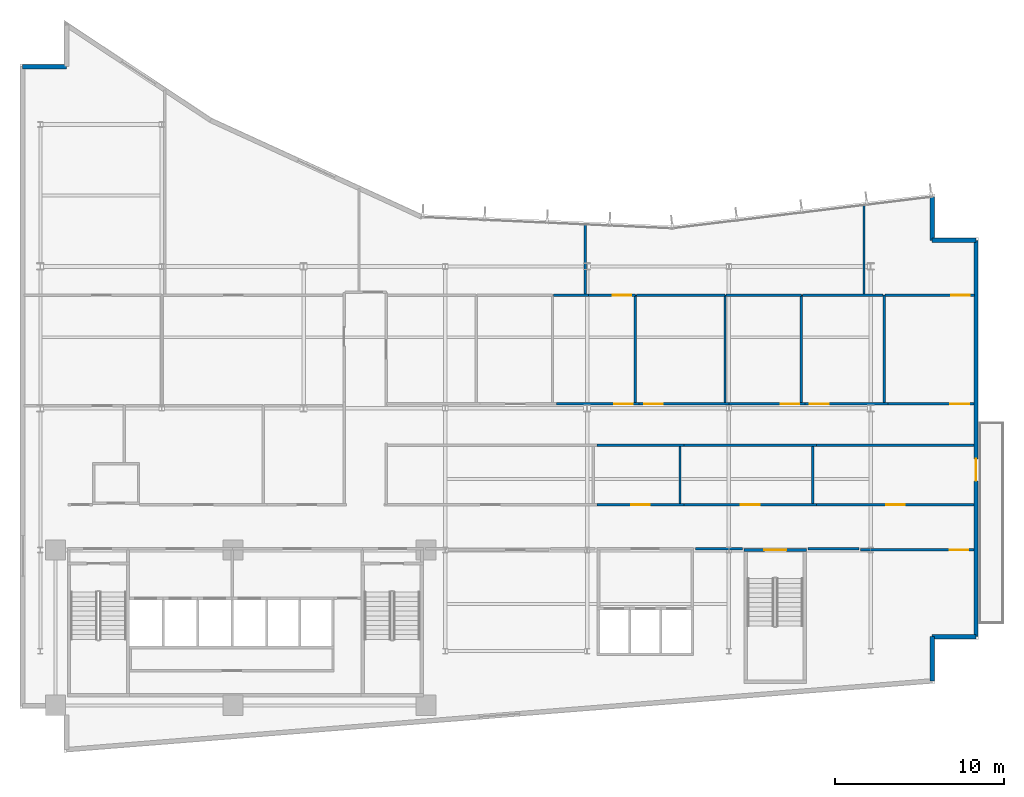
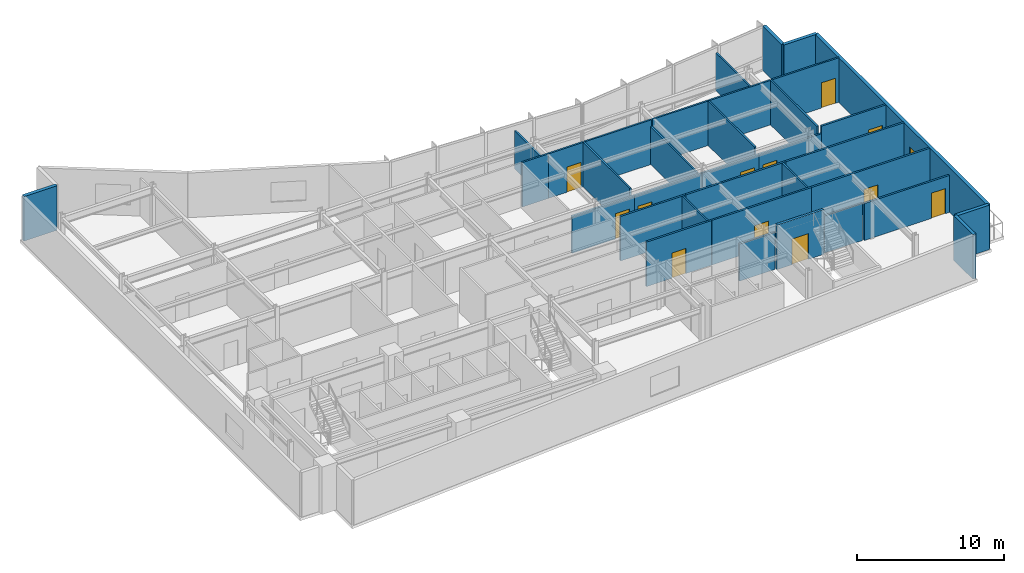
# One storey, part 11 of 17: 35 walls, 13 doors, 13 openings.
"""IFC4 building model written with IfcOpenShell, lengths in metres."""

from ifc_helpers import new_model, si_unit, direction, frame, frame_2d, origin, place, context, subcontext, project, spatial, rectangle, extrude, material, layer, layer_set, type_object, element, fill, save


model = new_model("IFC4")

# Units and contexts
model_context = context("Model", 3, precision=1e-05, world=origin(), true_north=direction((0.0, 1.0)))
body_context = subcontext(model_context, "Body", "Model", "MODEL_VIEW")
ifc_project = project(units=[si_unit("LENGTHUNIT", "METRE"), si_unit("AREAUNIT", "SQUARE_METRE"), si_unit("VOLUMEUNIT", "CUBIC_METRE"), si_unit("PLANEANGLEUNIT", "RADIAN"), si_unit("MASSUNIT", "GRAM", prefix="KILO")], contexts=[model_context])

# Site, building, storey
site_placement = place(None, origin())
site = spatial("IfcSite", under=ifc_project, at=site_placement, CompositionType="ELEMENT")
building_placement = place(site_placement, origin())
building = spatial("IfcBuilding", under=site, at=building_placement, Name="Varnakote Quay Hospital", CompositionType="ELEMENT")
storey_placement = place(building_placement, frame((0.0, 0.0, 131.0)))
storey = spatial("IfcBuildingStorey", under=building, at=storey_placement, Name="L32", CompositionType="ELEMENT", Elevation=131.0)

# Walls
ifc_material_1 = material(Name="Fire-rated acoustic gypsum stud wall", Category="gypsum")
ifc_layer_1 = layer(ifc_material_1, 0.159912109375)
ifc_layer_set_1 = layer_set([ifc_layer_1], Name="Fire-rated acoustic gypsum stud wall")
wall_type_1 = type_object("IfcWallType", Name="WL-COMP-160", PredefinedType="PARTITIONING", material=ifc_layer_set_1)
wall_1_placement = place(storey_placement, frame((40.030029296875, 12.080078125, 0.0), z_axis=(0.0, 0.0, 1.0), x_axis=(1.0, 0.0, 0.0)))
element("IfcWall", 1, at=wall_1_placement, inside=storey, type_object=wall_type_1, Name="L32 Corridor South Gap Wall", PredefinedType="PARTITIONING", context=body_context, shape_type="SweptSolid", body=[
    extrude(rectangle(XDim=2.78076171875, YDim=0.159912109375, at=frame_2d((1.390380859375, 0.0))), origin(), (0.0, 0.0, 1.0), 3.0830078125),
])
wall_2_placement = place(storey_placement, frame((46.689208984375, 12.080078125, 0.0), z_axis=(0.0, 0.0, 1.0), x_axis=(1.0, 0.0, 0.0)))
element("IfcWall", 2, at=wall_2_placement, inside=storey, type_object=wall_type_1, Name="L32 Corridor South Gap Wall", PredefinedType="PARTITIONING", context=body_context, shape_type="SweptSolid", body=[
    extrude(rectangle(XDim=3.0107421875, YDim=0.159912109375, at=frame_2d((1.50537109375, 0.0))), origin(), (0.0, 0.0, 1.0), 3.0830078125),
])
ifc_material_2 = material(Name="Precast concrete N50 (f'c 50 MPa)", Category="concrete")
ifc_layer_2 = layer(ifc_material_2, 0.260009765625)
ifc_layer_set_2 = layer_set([ifc_layer_2], Name="Precast concrete N50 (f'c 50 MPa)")
wall_type_2 = type_object("IfcWallType", Name="WL-EXT-BRICK-260", PredefinedType="STANDARD", material=ifc_layer_set_2)
wall_3_placement = place(storey_placement, frame((54.0400390625, 4.247802734375, 0.0), z_axis=(0.0, 0.0, 1.0), x_axis=(0.0, 1.0, 0.0)))
element("IfcWall", 3, at=wall_3_placement, inside=storey, type_object=wall_type_2, Name="L32 Brick-Faced Precast Exterior Wall", PredefinedType="STANDARD", context=body_context, shape_type="SweptSolid", body=[
    extrude(rectangle(XDim=2.6123046875, YDim=0.260009765625, at=frame_2d((1.30615234375, 0.0))), origin(), (0.0, 0.0, 1.0), 3.7099609375),
])
wall_4_placement = place(storey_placement, frame((54.0400390625, 6.860107421875, 0.0), z_axis=(0.0, 0.0, 1.0), x_axis=(1.0, 0.0, 0.0)))
element("IfcWall", 4, at=wall_4_placement, inside=storey, type_object=wall_type_2, Name="L32 Brick-Faced Precast Exterior Wall", PredefinedType="STANDARD", context=body_context, shape_type="SweptSolid", body=[
    extrude(rectangle(XDim=2.599853515625, YDim=0.260009765625, at=frame_2d((1.2998046875, 0.0))), origin(), (0.0, 0.0, 1.0), 3.7099609375),
])

# Wall, opening, door
wall_5_placement = place(storey_placement, frame((56.639892578125, 6.860107421875, 0.0), z_axis=(0.0, 0.0, 1.0), x_axis=(0.0, 1.0, 0.0)))
wall_5 = element("IfcWall", 5, at=wall_5_placement, inside=storey, type_object=wall_type_2, Name="L32 Healing Terrace Portal Brick Wall", PredefinedType="STANDARD", context=body_context, shape_type="SweptSolid", body=[
    extrude(rectangle(XDim=23.47998046875, YDim=0.260009765625, at=frame_2d((11.739990234375, 0.0))), origin(), (0.0, 0.0, 1.0), 3.7099609375),
])
opening_1_placement = place(wall_5_placement, frame((9.239990234375, 0.0, 0.0)))
opening_1 = element("IfcOpeningElement", 6, at=opening_1_placement, cuts=wall_5, Name="Opening DT-L32", PredefinedType="OPENING", context=body_context, shape_type="SweptSolid", body=[
    extrude(rectangle(XDim=1.300048828125, YDim=2.14990234375, at=frame_2d((0.64990234375, 1.074951171875))), frame((0.0, 0.139892578125, 0.0), z_axis=(0.0, -1.0, 0.0), x_axis=(1.0, 0.0, 0.0)), (0.0, 0.0, 1.0), 0.280029296875),
])
ifc_material_3 = material(Name="Anodised aluminium glazed terrace door", Category="aluminium")
door_type_1 = type_object("IfcDoorType", Name="DR-EXT-TERR-1300x2150", OperationType="NOTDEFINED", PredefinedType="DOOR", material=ifc_material_3)
door_1_placement = place(opening_1_placement, origin())
door_1 = element("IfcDoor", 7, at=door_1_placement, inside=storey, type_object=door_type_1, Name="L32 Waterfront Healing Terrace Door", OperationType="SINGLE_SWING_LEFT", OverallHeight=2.14990234375, OverallWidth=1.300048828125, PredefinedType="DOOR", context=body_context, shape_type="SweptSolid", body=[
    extrude(rectangle(XDim=1.300048828125, YDim=2.14990234375, at=frame_2d((0.64990234375, 1.074951171875))), frame((0.0, 0.02490234375, 0.0), z_axis=(0.0, -1.0, 0.0), x_axis=(1.0, 0.0, 0.0)), (0.0, 0.0, 1.0), 0.050048828125),
])
fill(opening_1, door_1)

# Walls
wall_6_placement = place(storey_placement, frame((56.639892578125, 30.340087890625, 0.0), z_axis=(0.0, 0.0, 1.0), x_axis=(-1.0, 0.0, 0.0)))
element("IfcWall", 8, at=wall_6_placement, inside=storey, type_object=wall_type_2, Name="L32 Brick-Faced Precast Exterior Wall", PredefinedType="STANDARD", context=body_context, shape_type="SweptSolid", body=[
    extrude(rectangle(XDim=2.599853515625, YDim=0.260009765625, at=frame_2d((1.2998046875, 0.0))), origin(), (0.0, 0.0, 1.0), 3.7099609375),
])
wall_7_placement = place(storey_placement, frame((54.0400390625, 30.340087890625, 0.0), z_axis=(0.0, 0.0, 1.0), x_axis=(0.0, 1.0, 0.0)))
element("IfcWall", 9, at=wall_7_placement, inside=storey, type_object=wall_type_2, Name="L32 Brick-Faced Precast Exterior Wall", PredefinedType="STANDARD", context=body_context, shape_type="SweptSolid", body=[
    extrude(rectangle(XDim=2.579345703125, YDim=0.260009765625, at=frame_2d((1.28955078125, 0.0))), origin(), (0.0, 0.0, 1.0), 3.7099609375),
])
wall_8_placement = place(storey_placement, frame((2.760009765625, 40.639892578125, 0.0), z_axis=(0.0, 0.0, 1.0), x_axis=(-1.0, 0.0, 0.0)))
element("IfcWall", 10, at=wall_8_placement, inside=storey, type_object=wall_type_2, Name="L32 Brick-Faced Precast Exterior Wall", PredefinedType="STANDARD", context=body_context, shape_type="SweptSolid", body=[
    extrude(rectangle(XDim=2.60009765625, YDim=0.260009765625, at=frame_2d((1.300048828125, 0.0))), origin(), (0.0, 0.0, 1.0), 3.7099609375),
])

# Wall, opening, door
ifc_material_4 = material(Name="Concrete N50 (f'c 50 MPa)", Category="concrete")
ifc_layer_3 = layer(ifc_material_4, 0.199951171875)
ifc_layer_set_3 = layer_set([ifc_layer_3], Name="Concrete N50 (f'c 50 MPa)")
wall_type_3 = type_object("IfcWallType", Name="WL-SHAFT-N50-200", PredefinedType="SHEAR", material=ifc_layer_set_3)
wall_9_placement = place(storey_placement, frame((42.89990234375, 12.0, 0.0), z_axis=(0.0, 0.0, 1.0), x_axis=(1.0, 0.0, 0.0)))
wall_9 = element("IfcWall", 11, at=wall_9_placement, inside=storey, type_object=wall_type_3, Name="L32 Stair ST3 Exit Wall", PredefinedType="SHEAR", context=body_context, shape_type="SweptSolid", body=[
    extrude(rectangle(XDim=3.7001953125, YDim=0.199951171875, at=frame_2d((1.85009765625, 0.0))), origin(), (0.0, 0.0, 1.0), 3.7099609375),
])
opening_2_placement = place(wall_9_placement, frame((1.199951171875, 0.0, 0.0)))
opening_2 = element("IfcOpeningElement", 12, at=opening_2_placement, cuts=wall_9, Name="Opening D-ST3-L32", PredefinedType="OPENING", context=body_context, shape_type="SweptSolid", body=[
    extrude(rectangle(XDim=1.300048828125, YDim=2.14990234375, at=frame_2d((0.64990234375, 1.074951171875))), frame((0.0, 0.10986328125, 0.0), z_axis=(0.0, -1.0, 0.0), x_axis=(1.0, 0.0, 0.0)), (0.0, 0.0, 1.0), 0.219970703125),
])
ifc_material_5 = material(Name="Fire-rated ceramic-glazed timber exit door", Category="wood")
door_type_2 = type_object("IfcDoorType", Name="DR-STAIR-FD60S-1300x2150", OperationType="NOTDEFINED", PredefinedType="DOOR", material=ifc_material_5)
door_2_placement = place(opening_2_placement, origin())
door_2 = element("IfcDoor", 13, at=door_2_placement, inside=storey, type_object=door_type_2, Name="L32 Stair ST3 Fire Exit Door", OperationType="SINGLE_SWING_LEFT", OverallHeight=2.14990234375, OverallWidth=1.300048828125, PredefinedType="DOOR", context=body_context, shape_type="SweptSolid", body=[
    extrude(rectangle(XDim=1.300048828125, YDim=2.14990234375, at=frame_2d((0.64990234375, 1.074951171875))), frame((0.0, 0.02490234375, 0.0), z_axis=(0.0, -1.0, 0.0), x_axis=(1.0, 0.0, 0.0)), (0.0, 0.0, 1.0), 0.050048828125),
])
fill(opening_2, door_2)

# Walls
ifc_material_6 = material(Name="Smoke-proof clinical partition", Category="gypsum")
ifc_layer_4 = layer(ifc_material_6, 0.135009765625)
ifc_layer_set_4 = layer_set([ifc_layer_4], Name="Smoke-proof clinical partition")
wall_type_4 = type_object("IfcWallType", Name="WL-SMOKE-135", PredefinedType="PARTITIONING", material=ifc_layer_set_4)
for number, where, z_axis, x_axis, name in (
    (14, (39.110107421875, 14.760009765625, 0.0), (0.0, 0.0, 1.0), (0.0, 1.0, 0.0), "L32 Clinical Interior Partition"),
    (15, (46.969970703125, 14.760009765625, 0.0), (0.0, 0.0, 1.0), (0.0, 1.0, 0.0), "L32 Clinical Interior Partition"),
):
    element("IfcWall", number, at=place(storey_placement, frame(where, z_axis=z_axis, x_axis=x_axis)), inside=storey, type_object=wall_type_4, Name=name, PredefinedType="PARTITIONING", context=body_context, shape_type="SweptSolid", body=[
        extrude(rectangle(XDim=3.360107421875, YDim=0.135009765625, at=frame_2d((1.68017578125, 0.0))), origin(), (0.0, 0.0, 1.0), 3.7099609375),
    ])
wall_10_placement = place(storey_placement, frame((36.4599609375, 20.715087890625, 0.0), z_axis=(0.0, 0.0, 1.0), x_axis=(0.0, 1.0, 0.0)))
element("IfcWall", 16, at=wall_10_placement, inside=storey, type_object=wall_type_4, Name="L32 Clinical Interior Partition", PredefinedType="PARTITIONING", context=body_context, shape_type="SweptSolid", body=[
    extrude(rectangle(XDim=6.385009765625, YDim=0.135009765625, at=frame_2d((3.1923828125, 0.0))), origin(), (0.0, 0.0, 1.0), 3.7099609375),
])
wall_11_placement = place(storey_placement, frame((33.66845703125, 27.10009765625, 0.0), z_axis=(0.0, 0.0, 1.0), x_axis=(-1.0, 0.0, 0.0)))
element("IfcWall", 17, at=wall_11_placement, inside=storey, type_object=wall_type_4, Name="L32 Clinical Interior Partition", PredefinedType="PARTITIONING", context=body_context, shape_type="SweptSolid", body=[
    extrude(rectangle(XDim=2.06103515625, YDim=0.135009765625, at=frame_2d((1.030517578125, 0.0))), origin(), (0.0, 0.0, 1.0), 3.7099609375),
])

# Wall, opening, door
wall_12_placement = place(storey_placement, frame((36.4599609375, 27.10009765625, 0.0), z_axis=(0.0, 0.0, 1.0), x_axis=(-1.0, 0.0, 0.0)))
wall_12 = element("IfcWall", 18, at=wall_12_placement, inside=storey, type_object=wall_type_4, Name="L32 Clinical Interior Partition", PredefinedType="PARTITIONING", context=body_context, shape_type="SweptSolid", body=[
    extrude(rectangle(XDim=2.78955078125, YDim=0.135009765625, at=frame_2d((1.394775390625, 0.0))), origin(), (0.0, 0.0, 1.0), 3.7099609375),
])
opening_3_placement = place(wall_12_placement, frame((0.232177734375, 0.0, 0.0)))
opening_3 = element("IfcOpeningElement", 19, at=opening_3_placement, cuts=wall_12, Name="Opening D-L32-MD19", PredefinedType="OPENING", context=body_context, shape_type="SweptSolid", body=[
    extrude(rectangle(XDim=1.10009765625, YDim=2.10009765625, at=frame_2d((0.550048828125, 1.050048828125))), frame((0.0, 0.077392578125, 0.0), z_axis=(0.0, -1.0, 0.0), x_axis=(1.0, 0.0, 0.0)), (0.0, 0.0, 1.0), 0.155029296875),
])
ifc_material_7 = material(Name="Acoustic timber clinical consult door", Category="wood")
door_type_3 = type_object("IfcDoorType", Name="DR-CLIN-FD30S-1100x2100", OperationType="NOTDEFINED", PredefinedType="DOOR", material=ifc_material_7)
door_3_placement = place(opening_3_placement, origin())
door_3 = element("IfcDoor", 20, at=door_3_placement, inside=storey, type_object=door_type_3, Name="L32 Ward Nutrition Pantry Door", OperationType="SINGLE_SWING_RIGHT", OverallHeight=2.10009765625, OverallWidth=1.10009765625, PredefinedType="DOOR", context=body_context, shape_type="SweptSolid", body=[
    extrude(rectangle(XDim=1.10009765625, YDim=2.10009765625, at=frame_2d((0.550048828125, 1.050048828125))), frame((0.0, 0.02490234375, 0.0), z_axis=(0.0, -1.0, 0.0), x_axis=(1.0, 0.0, 0.0)), (0.0, 0.0, 1.0), 0.050048828125),
])
fill(opening_3, door_3)

# Walls
wall_13_placement = place(storey_placement, frame((41.77001953125, 20.715087890625, 0.0), z_axis=(0.0, 0.0, 1.0), x_axis=(0.0, 1.0, 0.0)))
element("IfcWall", 21, at=wall_13_placement, inside=storey, type_object=wall_type_4, Name="L32 Clinical Interior Partition", PredefinedType="PARTITIONING", context=body_context, shape_type="SweptSolid", body=[
    extrude(rectangle(XDim=6.385009765625, YDim=0.135009765625, at=frame_2d((3.1923828125, 0.0))), origin(), (0.0, 0.0, 1.0), 3.152099609375),
])
wall_14_placement = place(storey_placement, frame((41.77001953125, 27.10009765625, 0.0), z_axis=(0.0, 0.0, 1.0), x_axis=(-1.0, 0.0, 0.0)))
element("IfcWall", 22, at=wall_14_placement, inside=storey, type_object=wall_type_4, Name="L32 Clinical Interior Partition", PredefinedType="PARTITIONING", context=body_context, shape_type="SweptSolid", body=[
    extrude(rectangle(XDim=5.25244140625, YDim=0.135009765625, at=frame_2d((2.626220703125, 0.0))), origin(), (0.0, 0.0, 1.0), 3.7099609375),
])
wall_15_placement = place(storey_placement, frame((46.2900390625, 20.715087890625, 0.0), z_axis=(0.0, 0.0, 1.0), x_axis=(0.0, 1.0, 0.0)))
element("IfcWall", 23, at=wall_15_placement, inside=storey, type_object=wall_type_4, Name="L32 Clinical Interior Partition", PredefinedType="PARTITIONING", context=body_context, shape_type="SweptSolid", body=[
    extrude(rectangle(XDim=6.385009765625, YDim=0.135009765625, at=frame_2d((3.1923828125, 0.0))), origin(), (0.0, 0.0, 1.0), 3.7099609375),
])
wall_16_placement = place(storey_placement, frame((46.2900390625, 27.10009765625, 0.0), z_axis=(0.0, 0.0, 1.0), x_axis=(-1.0, 0.0, 0.0)))
element("IfcWall", 24, at=wall_16_placement, inside=storey, type_object=wall_type_4, Name="L32 Clinical Interior Partition", PredefinedType="PARTITIONING", context=body_context, shape_type="SweptSolid", body=[
    extrude(rectangle(XDim=4.462646484375, YDim=0.135009765625, at=frame_2d((2.2314453125, 0.0))), origin(), (0.0, 0.0, 1.0), 3.7099609375),
])
wall_17_placement = place(storey_placement, frame((51.199951171875, 20.715087890625, 0.0), z_axis=(0.0, 0.0, 1.0), x_axis=(0.0, 1.0, 0.0)))
element("IfcWall", 25, at=wall_17_placement, inside=storey, type_object=wall_type_4, Name="L32 Clinical Interior Partition", PredefinedType="PARTITIONING", context=body_context, shape_type="SweptSolid", body=[
    extrude(rectangle(XDim=6.385009765625, YDim=0.135009765625, at=frame_2d((3.1923828125, 0.0))), origin(), (0.0, 0.0, 1.0), 3.7099609375),
])
wall_18_placement = place(storey_placement, frame((51.142578125, 27.10009765625, 0.0), z_axis=(0.0, 0.0, 1.0), x_axis=(-1.0, 0.0, 0.0)))
element("IfcWall", 26, at=wall_18_placement, inside=storey, type_object=wall_type_4, Name="L32 Clinical Interior Partition", PredefinedType="PARTITIONING", context=body_context, shape_type="SweptSolid", body=[
    extrude(rectangle(XDim=4.795166015625, YDim=0.135009765625, at=frame_2d((2.3974609375, 0.0))), origin(), (0.0, 0.0, 1.0), 3.7099609375),
])

# Wall, opening, door
wall_19_placement = place(storey_placement, frame((56.56005859375, 27.10009765625, 0.0), z_axis=(0.0, 0.0, 1.0), x_axis=(-1.0, 0.0, 0.0)))
wall_19 = element("IfcWall", 27, at=wall_19_placement, inside=storey, type_object=wall_type_4, Name="L32 Clinical Interior Partition", PredefinedType="PARTITIONING", context=body_context, shape_type="SweptSolid", body=[
    extrude(rectangle(XDim=5.302490234375, YDim=0.135009765625, at=frame_2d((2.6513671875, 0.0))), origin(), (0.0, 0.0, 1.0), 3.7099609375),
])
opening_4_placement = place(wall_19_placement, frame((0.295166015625, 0.0, 0.0)))
opening_4 = element("IfcOpeningElement", 28, at=opening_4_placement, cuts=wall_19, Name="Opening D-L32-MD20", PredefinedType="OPENING", context=body_context, shape_type="SweptSolid", body=[
    extrude(rectangle(XDim=1.10009765625, YDim=2.10009765625, at=frame_2d((0.550048828125, 1.050048828125))), frame((0.0, 0.077392578125, 0.0), z_axis=(0.0, -1.0, 0.0), x_axis=(1.0, 0.0, 0.0)), (0.0, 0.0, 1.0), 0.155029296875),
])
door_4_placement = place(opening_4_placement, origin())
door_4 = element("IfcDoor", 29, at=door_4_placement, inside=storey, type_object=door_type_3, Name="L32 Clinical Coordinator Office Door", OperationType="SINGLE_SWING_LEFT", OverallHeight=2.10009765625, OverallWidth=1.10009765625, PredefinedType="DOOR", context=body_context, shape_type="SweptSolid", body=[
    extrude(rectangle(XDim=1.10009765625, YDim=2.10009765625, at=frame_2d((0.550048828125, 1.050048828125))), frame((0.0, 0.02490234375, 0.0), z_axis=(0.0, -1.0, 0.0), x_axis=(1.0, 0.0, 0.0)), (0.0, 0.0, 1.0), 0.050048828125),
])
fill(opening_4, door_4)

# Walls
wall_20_placement = place(storey_placement, frame((33.489990234375, 27.157470703125, 0.0), z_axis=(0.0, 0.0, 1.0), x_axis=(0.0, 1.0, 0.0)))
element("IfcWall", 30, at=wall_20_placement, inside=storey, type_object=wall_type_4, Name="L32 Clinical Interior Partition", PredefinedType="PARTITIONING", context=body_context, shape_type="SweptSolid", body=[
    extrude(rectangle(XDim=4.12451171875, YDim=0.135009765625, at=frame_2d((2.062255859375, 0.0))), origin(), (0.0, 0.0, 1.0), 3.152099609375),
])
wall_21_placement = place(storey_placement, frame((50.010009765625, 27.157470703125, 0.0), z_axis=(0.0, 0.0, 1.0), x_axis=(0.0, 1.0, 0.0)))
element("IfcWall", 31, at=wall_21_placement, inside=storey, type_object=wall_type_4, Name="L32 Clinical Interior Partition", PredefinedType="PARTITIONING", context=body_context, shape_type="SweptSolid", body=[
    extrude(rectangle(XDim=5.2734375, YDim=0.135009765625, at=frame_2d((2.63671875, 0.0))), origin(), (0.0, 0.0, 1.0), 3.152099609375),
])

# Wall, opening, door
ifc_material_8 = material(Name="Fire-rated clinical gypsum partition", Category="gypsum")
ifc_layer_5 = layer(ifc_material_8, 0.14990234375)
ifc_layer_set_5 = layer_set([ifc_layer_5], Name="Fire-rated clinical gypsum partition")
wall_type_5 = type_object("IfcWallType", Name="WL-WARD-150", PredefinedType="PARTITIONING", material=ifc_layer_set_5)
wall_22_placement = place(storey_placement, frame((56.52001953125, 12.0, 0.0), z_axis=(0.0, 0.0, 1.0), x_axis=(-1.0, 0.0, 0.0)))
wall_22 = element("IfcWall", 32, at=wall_22_placement, inside=storey, type_object=wall_type_5, Name="L32 Clinical Interior Partition", PredefinedType="PARTITIONING", context=body_context, shape_type="SweptSolid", body=[
    extrude(rectangle(XDim=6.719970703125, YDim=0.14990234375, at=frame_2d((3.35986328125, 0.0))), origin(), (0.0, 0.0, 1.0), 3.0830078125),
])
opening_5_placement = place(wall_22_placement, frame((0.33056640625, 0.0, 0.0)))
opening_5 = element("IfcOpeningElement", 33, at=opening_5_placement, cuts=wall_22, Name="Opening D-L32-SE1", PredefinedType="OPENING", context=body_context, shape_type="SweptSolid", body=[
    extrude(rectangle(XDim=1.10009765625, YDim=2.10009765625, at=frame_2d((0.550048828125, 1.050048828125))), frame((0.0, 0.0849609375, 0.0), z_axis=(0.0, -1.0, 0.0), x_axis=(1.0, 0.0, 0.0)), (0.0, 0.0, 1.0), 0.169921875),
])
door_5_placement = place(opening_5_placement, origin())
door_5 = element("IfcDoor", 34, at=door_5_placement, inside=storey, type_object=door_type_3, Name="L32 Clinical Biomedical Engineering Office Door", OperationType="SINGLE_SWING_RIGHT", OverallHeight=2.10009765625, OverallWidth=1.10009765625, PredefinedType="DOOR", context=body_context, shape_type="SweptSolid", body=[
    extrude(rectangle(XDim=1.10009765625, YDim=2.10009765625, at=frame_2d((0.550048828125, 1.050048828125))), frame((0.0, 0.02490234375, 0.0), z_axis=(0.0, -1.0, 0.0), x_axis=(1.0, 0.0, 0.0)), (0.0, 0.0, 1.0), 0.050048828125),
])
fill(opening_5, door_5)

wall_23_placement = place(storey_placement, frame((39.3359375, 14.679931640625, 0.0), z_axis=(0.0, 0.0, 1.0), x_axis=(-1.0, 0.0, 0.0)))
wall_23 = element("IfcWall", 35, at=wall_23_placement, inside=storey, type_object=wall_type_5, Name="L32 Clinical Interior Partition", PredefinedType="PARTITIONING", context=body_context, shape_type="SweptSolid", body=[
    extrude(rectangle(XDim=5.137939453125, YDim=0.14990234375, at=frame_2d((2.56884765625, 0.0))), origin(), (0.0, 0.0, 1.0), 3.7099609375),
])
opening_6_placement = place(wall_23_placement, frame((2.01904296875, 0.0, 0.0)))
opening_6 = element("IfcOpeningElement", 36, at=opening_6_placement, cuts=wall_23, Name="Opening D-L32-MD05", PredefinedType="OPENING", context=body_context, shape_type="SweptSolid", body=[
    extrude(rectangle(XDim=1.10009765625, YDim=2.10009765625, at=frame_2d((0.550048828125, 1.050048828125))), frame((0.0, 0.0849609375, 0.0), z_axis=(0.0, -1.0, 0.0), x_axis=(1.0, 0.0, 0.0)), (0.0, 0.0, 1.0), 0.169921875),
])
door_6_placement = place(opening_6_placement, origin())
door_6 = element("IfcDoor", 37, at=door_6_placement, inside=storey, type_object=door_type_3, Name="L32 Day Procedure Treatment Suite Door", OperationType="SINGLE_SWING_LEFT", OverallHeight=2.10009765625, OverallWidth=1.10009765625, PredefinedType="DOOR", context=body_context, shape_type="SweptSolid", body=[
    extrude(rectangle(XDim=1.10009765625, YDim=2.10009765625, at=frame_2d((0.550048828125, 1.050048828125))), frame((0.0, 0.02490234375, 0.0), z_axis=(0.0, -1.0, 0.0), x_axis=(1.0, 0.0, 0.0)), (0.0, 0.0, 1.0), 0.050048828125),
])
fill(opening_6, door_6)

wall_24_placement = place(storey_placement, frame((47.196044921875, 14.679931640625, 0.0), z_axis=(0.0, 0.0, 1.0), x_axis=(-1.0, 0.0, 0.0)))
wall_24 = element("IfcWall", 38, at=wall_24_placement, inside=storey, type_object=wall_type_5, Name="L32 Clinical Interior Partition", PredefinedType="PARTITIONING", context=body_context, shape_type="SweptSolid", body=[
    extrude(rectangle(XDim=7.858154296875, YDim=0.14990234375, at=frame_2d((3.92919921875, 0.0))), origin(), (0.0, 0.0, 1.0), 3.7099609375),
])
opening_7_placement = place(wall_24_placement, frame((3.37890625, 0.0, 0.0)))
opening_7 = element("IfcOpeningElement", 39, at=opening_7_placement, cuts=wall_24, Name="Opening D-L32-MD06", PredefinedType="OPENING", context=body_context, shape_type="SweptSolid", body=[
    extrude(rectangle(XDim=1.10009765625, YDim=2.10009765625, at=frame_2d((0.550048828125, 1.050048828125))), frame((0.0, 0.0849609375, 0.0), z_axis=(0.0, -1.0, 0.0), x_axis=(1.0, 0.0, 0.0)), (0.0, 0.0, 1.0), 0.169921875),
])
door_7_placement = place(opening_7_placement, origin())
door_7 = element("IfcDoor", 40, at=door_7_placement, inside=storey, type_object=door_type_3, Name="L32 Endoscopy Infusion Treatment Suite Door", OperationType="SINGLE_SWING_RIGHT", OverallHeight=2.10009765625, OverallWidth=1.10009765625, PredefinedType="DOOR", context=body_context, shape_type="SweptSolid", body=[
    extrude(rectangle(XDim=1.10009765625, YDim=2.10009765625, at=frame_2d((0.550048828125, 1.050048828125))), frame((0.0, 0.02490234375, 0.0), z_axis=(0.0, -1.0, 0.0), x_axis=(1.0, 0.0, 0.0)), (0.0, 0.0, 1.0), 0.050048828125),
])
fill(opening_7, door_7)

wall_25_placement = place(storey_placement, frame((56.52001953125, 14.679931640625, 0.0), z_axis=(0.0, 0.0, 1.0), x_axis=(-1.0, 0.0, 0.0)))
wall_25 = element("IfcWall", 41, at=wall_25_placement, inside=storey, type_object=wall_type_5, Name="L32 Clinical Interior Partition", PredefinedType="PARTITIONING", context=body_context, shape_type="SweptSolid", body=[
    extrude(rectangle(XDim=9.322021484375, YDim=0.14990234375, at=frame_2d((4.6611328125, 0.0))), origin(), (0.0, 0.0, 1.0), 3.7099609375),
])
opening_8_placement = place(wall_25_placement, frame((4.111083984375, 0.0, 0.0)))
opening_8 = element("IfcOpeningElement", 42, at=opening_8_placement, cuts=wall_25, Name="Opening D-L32-DLNG", PredefinedType="OPENING", context=body_context, shape_type="SweptSolid", body=[
    extrude(rectangle(XDim=1.10009765625, YDim=2.10009765625, at=frame_2d((0.550048828125, 1.050048828125))), frame((0.0, 0.0849609375, 0.0), z_axis=(0.0, -1.0, 0.0), x_axis=(1.0, 0.0, 0.0)), (0.0, 0.0, 1.0), 0.169921875),
])
door_8_placement = place(opening_8_placement, origin())
door_8 = element("IfcDoor", 43, at=door_8_placement, inside=storey, type_object=door_type_3, Name="L32 Waterfront Patient & Family Dayroom Door", OperationType="SINGLE_SWING_LEFT", OverallHeight=2.10009765625, OverallWidth=1.10009765625, PredefinedType="DOOR", context=body_context, shape_type="SweptSolid", body=[
    extrude(rectangle(XDim=1.10009765625, YDim=2.10009765625, at=frame_2d((0.550048828125, 1.050048828125))), frame((0.0, 0.02490234375, 0.0), z_axis=(0.0, -1.0, 0.0), x_axis=(1.0, 0.0, 0.0)), (0.0, 0.0, 1.0), 0.050048828125),
])
fill(opening_8, door_8)

# Walls
wall_26_placement = place(storey_placement, frame((34.197998046875, 18.199951171875, 0.0), z_axis=(0.0, 0.0, 1.0), x_axis=(1.0, 0.0, 0.0)))
element("IfcWall", 44, at=wall_26_placement, inside=storey, type_object=wall_type_5, Name="L32 Clinical Interior Partition", PredefinedType="PARTITIONING", context=body_context, shape_type="SweptSolid", body=[
    extrude(rectangle(XDim=5.137939453125, YDim=0.14990234375, at=frame_2d((2.56884765625, 0.0))), origin(), (0.0, 0.0, 1.0), 3.7099609375),
])
wall_27_placement = place(storey_placement, frame((39.337890625, 18.199951171875, 0.0), z_axis=(0.0, 0.0, 1.0), x_axis=(1.0, 0.0, 0.0)))
element("IfcWall", 45, at=wall_27_placement, inside=storey, type_object=wall_type_5, Name="L32 Clinical Interior Partition", PredefinedType="PARTITIONING", context=body_context, shape_type="SweptSolid", body=[
    extrude(rectangle(XDim=7.858154296875, YDim=0.14990234375, at=frame_2d((3.92919921875, 0.0))), origin(), (0.0, 0.0, 1.0), 3.7099609375),
])
wall_28_placement = place(storey_placement, frame((47.197998046875, 18.199951171875, 0.0), z_axis=(0.0, 0.0, 1.0), x_axis=(1.0, 0.0, 0.0)))
element("IfcWall", 46, at=wall_28_placement, inside=storey, type_object=wall_type_5, Name="L32 Clinical Interior Partition", PredefinedType="PARTITIONING", context=body_context, shape_type="SweptSolid", body=[
    extrude(rectangle(XDim=9.322021484375, YDim=0.14990234375, at=frame_2d((4.6611328125, 0.0))), origin(), (0.0, 0.0, 1.0), 3.7099609375),
])

# Wall, opening, door
wall_29_placement = place(storey_placement, frame((36.68603515625, 20.64990234375, 0.0), z_axis=(0.0, 0.0, 1.0), x_axis=(-1.0, 0.0, 0.0)))
wall_29 = element("IfcWall", 47, at=wall_29_placement, inside=storey, type_object=wall_type_5, Name="L32 Clinical Interior Partition", PredefinedType="PARTITIONING", context=body_context, shape_type="SweptSolid", body=[
    extrude(rectangle(XDim=4.907958984375, YDim=0.14990234375, at=frame_2d((2.4541015625, 0.0))), origin(), (0.0, 0.0, 1.0), 3.0830078125),
])
opening_9_placement = place(wall_29_placement, frame((0.370361328125, 0.0, 0.0)))
opening_9 = element("IfcOpeningElement", 48, at=opening_9_placement, cuts=wall_29, Name="Opening D-L32-MD11", PredefinedType="OPENING", context=body_context, shape_type="SweptSolid", body=[
    extrude(rectangle(XDim=1.10009765625, YDim=2.10009765625, at=frame_2d((0.550048828125, 1.050048828125))), frame((0.0, 0.0849609375, 0.0), z_axis=(0.0, -1.0, 0.0), x_axis=(1.0, 0.0, 0.0)), (0.0, 0.0, 1.0), 0.169921875),
])
door_9_placement = place(opening_9_placement, origin())
door_9 = element("IfcDoor", 49, at=door_9_placement, inside=storey, type_object=door_type_3, Name="L32 Ward Nutrition Pantry Door", OperationType="SINGLE_SWING_RIGHT", OverallHeight=2.10009765625, OverallWidth=1.10009765625, PredefinedType="DOOR", context=body_context, shape_type="SweptSolid", body=[
    extrude(rectangle(XDim=1.10009765625, YDim=2.10009765625, at=frame_2d((0.550048828125, 1.050048828125))), frame((0.0, 0.02490234375, 0.0), z_axis=(0.0, -1.0, 0.0), x_axis=(1.0, 0.0, 0.0)), (0.0, 0.0, 1.0), 0.050048828125),
])
fill(opening_9, door_9)

wall_30_placement = place(storey_placement, frame((41.99609375, 20.64990234375, 0.0), z_axis=(0.0, 0.0, 1.0), x_axis=(-1.0, 0.0, 0.0)))
wall_30 = element("IfcWall", 50, at=wall_30_placement, inside=storey, type_object=wall_type_5, Name="L32 Clinical Interior Partition", PredefinedType="PARTITIONING", context=body_context, shape_type="SweptSolid", body=[
    extrude(rectangle(XDim=5.30810546875, YDim=0.14990234375, at=frame_2d((2.654052734375, 0.0))), origin(), (0.0, 0.0, 1.0), 3.0830078125),
])
opening_10_placement = place(wall_30_placement, frame((3.912841796875, 0.0, 0.0)))
opening_10 = element("IfcOpeningElement", 51, at=opening_10_placement, cuts=wall_30, Name="Opening D-L32-MD12", PredefinedType="OPENING", context=body_context, shape_type="SweptSolid", body=[
    extrude(rectangle(XDim=1.10009765625, YDim=2.10009765625, at=frame_2d((0.550048828125, 1.050048828125))), frame((0.0, 0.0849609375, 0.0), z_axis=(0.0, -1.0, 0.0), x_axis=(1.0, 0.0, 0.0)), (0.0, 0.0, 1.0), 0.169921875),
])
door_10_placement = place(opening_10_placement, origin())
door_10 = element("IfcDoor", 52, at=door_10_placement, inside=storey, type_object=door_type_3, Name="L32 Clinical Coordinator Office Door", OperationType="SINGLE_SWING_LEFT", OverallHeight=2.10009765625, OverallWidth=1.10009765625, PredefinedType="DOOR", context=body_context, shape_type="SweptSolid", body=[
    extrude(rectangle(XDim=1.10009765625, YDim=2.10009765625, at=frame_2d((0.550048828125, 1.050048828125))), frame((0.0, 0.02490234375, 0.0), z_axis=(0.0, -1.0, 0.0), x_axis=(1.0, 0.0, 0.0)), (0.0, 0.0, 1.0), 0.050048828125),
])
fill(opening_10, door_10)

wall_31_placement = place(storey_placement, frame((46.51611328125, 20.64990234375, 0.0), z_axis=(0.0, 0.0, 1.0), x_axis=(-1.0, 0.0, 0.0)))
wall_31 = element("IfcWall", 53, at=wall_31_placement, inside=storey, type_object=wall_type_5, Name="L32 Clinical Interior Partition", PredefinedType="PARTITIONING", context=body_context, shape_type="SweptSolid", body=[
    extrude(rectangle(XDim=4.51806640625, YDim=0.14990234375, at=frame_2d((2.259033203125, 0.0))), origin(), (0.0, 0.0, 1.0), 3.0830078125),
])
opening_11_placement = place(wall_31_placement, frame((0.350830078125, 0.0, 0.0)))
opening_11 = element("IfcOpeningElement", 54, at=opening_11_placement, cuts=wall_31, Name="Opening D-L32-MD13", PredefinedType="OPENING", context=body_context, shape_type="SweptSolid", body=[
    extrude(rectangle(XDim=1.10009765625, YDim=2.10009765625, at=frame_2d((0.550048828125, 1.050048828125))), frame((0.0, 0.0849609375, 0.0), z_axis=(0.0, -1.0, 0.0), x_axis=(1.0, 0.0, 0.0)), (0.0, 0.0, 1.0), 0.169921875),
])
door_11_placement = place(opening_11_placement, origin())
door_11 = element("IfcDoor", 55, at=door_11_placement, inside=storey, type_object=door_type_3, Name="L32 Day Procedure Treatment Suite Door", OperationType="SINGLE_SWING_RIGHT", OverallHeight=2.10009765625, OverallWidth=1.10009765625, PredefinedType="DOOR", context=body_context, shape_type="SweptSolid", body=[
    extrude(rectangle(XDim=1.10009765625, YDim=2.10009765625, at=frame_2d((0.550048828125, 1.050048828125))), frame((0.0, 0.02490234375, 0.0), z_axis=(0.0, -1.0, 0.0), x_axis=(1.0, 0.0, 0.0)), (0.0, 0.0, 1.0), 0.050048828125),
])
fill(opening_11, door_11)

wall_32_placement = place(storey_placement, frame((51.426025390625, 20.64990234375, 0.0), z_axis=(0.0, 0.0, 1.0), x_axis=(-1.0, 0.0, 0.0)))
wall_32 = element("IfcWall", 56, at=wall_32_placement, inside=storey, type_object=wall_type_5, Name="L32 Clinical Interior Partition", PredefinedType="PARTITIONING", context=body_context, shape_type="SweptSolid", body=[
    extrude(rectangle(XDim=4.907958984375, YDim=0.14990234375, at=frame_2d((2.4541015625, 0.0))), origin(), (0.0, 0.0, 1.0), 3.0830078125),
])
opening_12_placement = place(wall_32_placement, frame((3.522705078125, 0.0, 0.0)))
opening_12 = element("IfcOpeningElement", 57, at=opening_12_placement, cuts=wall_32, Name="Opening D-L32-MD14", PredefinedType="OPENING", context=body_context, shape_type="SweptSolid", body=[
    extrude(rectangle(XDim=1.10009765625, YDim=2.10009765625, at=frame_2d((0.550048828125, 1.050048828125))), frame((0.0, 0.0849609375, 0.0), z_axis=(0.0, -1.0, 0.0), x_axis=(1.0, 0.0, 0.0)), (0.0, 0.0, 1.0), 0.169921875),
])
door_12_placement = place(opening_12_placement, origin())
door_12 = element("IfcDoor", 58, at=door_12_placement, inside=storey, type_object=door_type_3, Name="L32 Endoscopy Infusion Treatment Suite Door", OperationType="SINGLE_SWING_LEFT", OverallHeight=2.10009765625, OverallWidth=1.10009765625, PredefinedType="DOOR", context=body_context, shape_type="SweptSolid", body=[
    extrude(rectangle(XDim=1.10009765625, YDim=2.10009765625, at=frame_2d((0.550048828125, 1.050048828125))), frame((0.0, 0.02490234375, 0.0), z_axis=(0.0, -1.0, 0.0), x_axis=(1.0, 0.0, 0.0)), (0.0, 0.0, 1.0), 0.050048828125),
])
fill(opening_12, door_12)

wall_33_placement = place(storey_placement, frame((56.52001953125, 20.64990234375, 0.0), z_axis=(0.0, 0.0, 1.0), x_axis=(-1.0, 0.0, 0.0)))
wall_33 = element("IfcWall", 59, at=wall_33_placement, inside=storey, type_object=wall_type_5, Name="L32 Clinical Interior Partition", PredefinedType="PARTITIONING", context=body_context, shape_type="SweptSolid", body=[
    extrude(rectangle(XDim=5.092041015625, YDim=0.14990234375, at=frame_2d((2.5458984375, 0.0))), origin(), (0.0, 0.0, 1.0), 3.7099609375),
])
opening_13_placement = place(wall_33_placement, frame((0.289794921875, 0.0, 0.0)))
opening_13 = element("IfcOpeningElement", 60, at=opening_13_placement, cuts=wall_33, Name="Opening D-L32-MD15", PredefinedType="OPENING", context=body_context, shape_type="SweptSolid", body=[
    extrude(rectangle(XDim=1.10009765625, YDim=2.10009765625, at=frame_2d((0.550048828125, 1.050048828125))), frame((0.0, 0.0849609375, 0.0), z_axis=(0.0, -1.0, 0.0), x_axis=(1.0, 0.0, 0.0)), (0.0, 0.0, 1.0), 0.169921875),
])
door_13_placement = place(opening_13_placement, origin())
door_13 = element("IfcDoor", 61, at=door_13_placement, inside=storey, type_object=door_type_3, Name="L32 Ward Nutrition Pantry Door", OperationType="SINGLE_SWING_RIGHT", OverallHeight=2.10009765625, OverallWidth=1.10009765625, PredefinedType="DOOR", context=body_context, shape_type="SweptSolid", body=[
    extrude(rectangle(XDim=1.10009765625, YDim=2.10009765625, at=frame_2d((0.550048828125, 1.050048828125))), frame((0.0, 0.02490234375, 0.0), z_axis=(0.0, -1.0, 0.0), x_axis=(1.0, 0.0, 0.0)), (0.0, 0.0, 1.0), 0.050048828125),
])
fill(opening_13, door_13)

save(model, "model.ifc")
